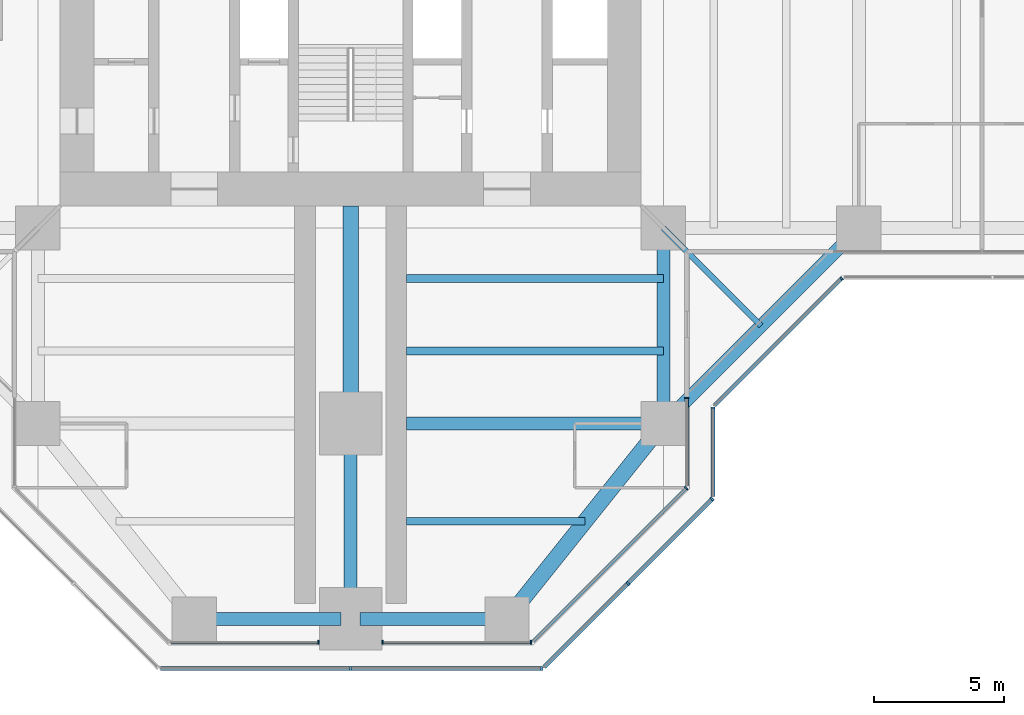
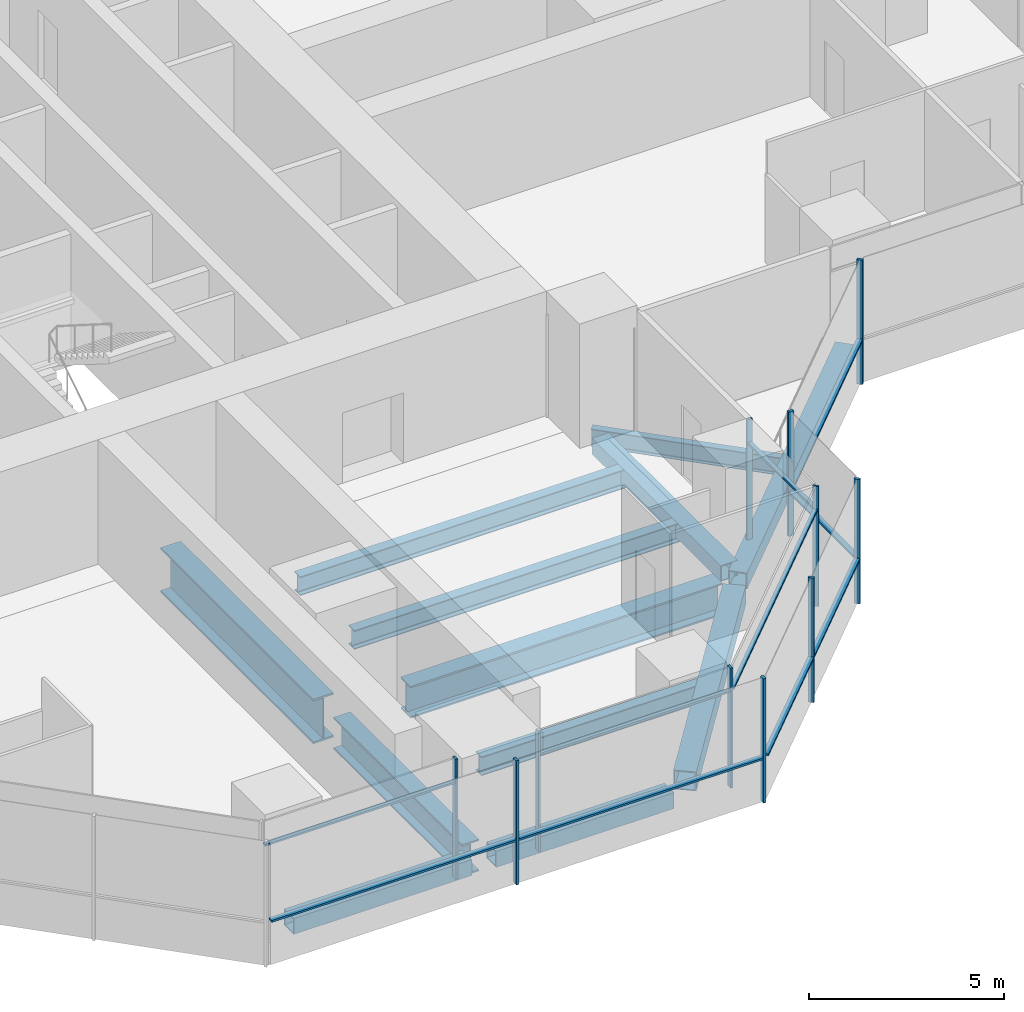
# One storey, part 4 of 20: 21 members, 12 beams, 8 elements without a shape of their own.
"""IFC4 building model written with IfcOpenShell, lengths in metres."""

from ifc_helpers import new_model, si_unit, direction, frame, origin, origin_2d, place, context, subcontext, project, spatial, rectangle, hollow_rectangle, i_section, extrude, material, material_profile, profile_set, type_object, element, aggregate, save


model = new_model("IFC4")

# Units and contexts
model_context = context("Model", 3, precision=1e-05, world=origin(), true_north=direction((0.0, 1.0)))
body_context = subcontext(model_context, "Body", "Model", "MODEL_VIEW")
ifc_project = project(units=[si_unit("LENGTHUNIT", "METRE"), si_unit("AREAUNIT", "SQUARE_METRE"), si_unit("VOLUMEUNIT", "CUBIC_METRE"), si_unit("PLANEANGLEUNIT", "RADIAN"), si_unit("MASSUNIT", "GRAM", prefix="KILO")], contexts=[model_context])

# Site, building, storey
site_placement = place(None, origin())
site = spatial("IfcSite", under=ifc_project, at=site_placement, CompositionType="ELEMENT")
building_placement = place(site_placement, origin())
building = spatial("IfcBuilding", under=site, at=building_placement, Name="Mizan Broadcast Tower", CompositionType="ELEMENT")
storey_placement = place(building_placement, frame((0.0, 0.0, 143.699951171875)))
storey = spatial("IfcBuildingStorey", under=building, at=storey_placement, Name="L32", CompositionType="ELEMENT", Elevation=143.699951171875)

# Beams
ifc_material_1 = material(Name="Steel S355", Category="steel")
ifc_material_profile_1 = material_profile(ifc_material_1, hollow_rectangle(XDim=0.5, YDim=0.5, WallThickness=0.030029296875, at=origin_2d()), Name="BOX 500x500x30")
ifc_profile_set_1 = profile_set([ifc_material_profile_1], Name="Steel S355")
beam_type_1 = type_object("IfcBeamType", Name="EDGE BEAM BOX 500x500x30", PredefinedType="SPANDREL", material=ifc_profile_set_1)
beam_1_placement = place(storey_placement, frame((-5.639892578125, -27.0, -0.3798828125), z_axis=(1.0, 0.0, 0.0), x_axis=(0.0, 1.0, 0.0)))
element("IfcBeam", 1, at=beam_1_placement, inside=storey, type_object=beam_type_1, Name="Edge beam BOX 500x500x30 L32 south arm", PredefinedType="SPANDREL", context=body_context, shape_type="SweptSolid", body=[
    extrude(hollow_rectangle(XDim=0.5, YDim=0.5, WallThickness=0.030029296875, at=origin_2d()), origin(), (0.0, 0.0, 1.0), 5.27978515625),
])
beam_2_placement = place(storey_placement, frame((12.0, -12.449951171875, -0.3798828125), z_axis=(0.0, -1.0, 0.0), x_axis=(1.0, 0.0, 0.0)))
element("IfcBeam", 2, at=beam_2_placement, inside=storey, type_object=beam_type_1, Name="Edge beam BOX 500x500x30 L32 south arm", PredefinedType="SPANDREL", context=body_context, shape_type="SweptSolid", body=[
    extrude(hollow_rectangle(XDim=0.5, YDim=0.5, WallThickness=0.030029296875, at=origin_2d()), origin(), (0.0, 0.0, 1.0), 6.60009765625),
])
beam_3_placement = place(storey_placement, frame((5.639892578125, -27.0, -0.3798828125), z_axis=(-1.0, 0.0, 0.0), x_axis=(0.0, -1.0, 0.0)))
element("IfcBeam", 3, at=beam_3_placement, inside=storey, type_object=beam_type_1, Name="Edge beam BOX 500x500x30 L32 south arm", PredefinedType="SPANDREL", context=body_context, shape_type="SweptSolid", body=[
    extrude(hollow_rectangle(XDim=0.5, YDim=0.5, WallThickness=0.030029296875, at=origin_2d()), origin(), (0.0, 0.0, 1.0), 5.27978515625),
])
beam_4_placement = place(storey_placement, frame((12.0, -19.5, -0.3798828125), z_axis=(0.707106781187, 0.707106781187, 0.0), x_axis=(-0.707106781187, 0.707106781187, 0.0)))
element("IfcBeam", 4, at=beam_4_placement, inside=storey, type_object=beam_type_1, Name="Winter garden edge beam L32 S", PredefinedType="SPANDREL", context=body_context, shape_type="SweptSolid", body=[
    extrude(hollow_rectangle(XDim=0.5, YDim=0.5, WallThickness=0.030029296875, at=origin_2d()), origin(), (0.0, 0.0, 1.0), 10.606689453125),
])
ifc_material_2 = material(Name="Steel S355", Category="steel")
ifc_material_profile_2 = material_profile(ifc_material_2, hollow_rectangle(XDim=0.60009765625, YDim=0.60009765625, WallThickness=0.030029296875, at=origin_2d()), Name="BOX 600x600x30")
ifc_profile_set_2 = profile_set([ifc_material_profile_2], Name="Steel S355")
beam_type_2 = type_object("IfcBeamType", Name="EDGE BEAM BOX 600x600x30", PredefinedType="SPANDREL", material=ifc_profile_set_2)
beam_5_placement = place(storey_placement, frame((11.639892578125, -19.949951171875, -0.429931640625), z_axis=(-0.624673911726, -0.780885717636, 0.0), x_axis=(0.780885717636, -0.624673911726, 0.0)))
element("IfcBeam", 5, at=beam_5_placement, inside=storey, type_object=beam_type_2, Name="Edge beam BOX 600x600x30 L32 south arm", PredefinedType="SPANDREL", context=body_context, shape_type="SweptSolid", body=[
    extrude(hollow_rectangle(XDim=0.60009765625, YDim=0.60009765625, WallThickness=0.030029296875, at=origin_2d()), origin(), (0.0, 0.0, 1.0), 8.4521484375),
])
ifc_material_3 = material(Name="Steel S460", Category="steel")
ifc_material_profile_3 = material_profile(ifc_material_3, i_section(OverallWidth=0.5, OverallDepth=1.0, WebThickness=0.02490234375, FlangeThickness=0.050048828125, at=origin_2d()), Name="WPG 1000x500")
ifc_profile_set_3 = profile_set([ifc_material_profile_3], Name="Steel S460")
beam_type_3 = type_object("IfcBeamType", Name="GIRDER WPG 1000x500", PredefinedType="BEAM", material=ifc_profile_set_3)
beam_6_placement = place(storey_placement, frame((0.0, -19.949951171875, -0.6298828125), z_axis=(0.0, -1.0, 0.0), x_axis=(1.0, 0.0, 0.0)))
element("IfcBeam", 6, at=beam_6_placement, inside=storey, type_object=beam_type_3, Name="Girder WPG 1000x500 L32 south arm", PredefinedType="BEAM", context=body_context, shape_type="SweptSolid", body=[
    extrude(i_section(OverallWidth=0.5, OverallDepth=1.0, WebThickness=0.02490234375, FlangeThickness=0.050048828125, at=origin_2d()), origin(), (0.0, 0.0, 1.0), 6.60009765625),
])
beam_7_placement = place(storey_placement, frame((11.408935546875, -19.5, -0.6298828125), z_axis=(-1.0, 0.0, 0.0), x_axis=(0.0, -1.0, 0.0)))
element("IfcBeam", 7, at=beam_7_placement, inside=storey, type_object=beam_type_3, Name="Girder WPG 1000x500 L32 south arm", PredefinedType="BEAM", context=body_context, shape_type="SweptSolid", body=[
    extrude(i_section(OverallWidth=0.5, OverallDepth=1.0, WebThickness=0.02490234375, FlangeThickness=0.050048828125, at=origin_2d()), origin(), (0.0, 0.0, 1.0), 9.259033203125),
])
ifc_material_4 = material(Name="Steel S460", Category="steel")
ifc_material_profile_4 = material_profile(ifc_material_4, i_section(OverallWidth=0.60009765625, OverallDepth=1.39990234375, WebThickness=0.02490234375, FlangeThickness=0.06005859375, at=origin_2d()), Name="WPG 1400x600")
ifc_profile_set_4 = profile_set([ifc_material_profile_4], Name="Steel S460")
beam_type_4 = type_object("IfcBeamType", Name="GIRDER WPG 1400x600", PredefinedType="BEAM", material=ifc_profile_set_4)
beam_8_placement = place(storey_placement, frame((0.0, -11.14990234375, -0.829833984375), z_axis=(0.0, -1.0, 0.0), x_axis=(1.0, 0.0, 0.0)))
element("IfcBeam", 8, at=beam_8_placement, inside=storey, type_object=beam_type_4, Name="Girder WPG 1400x600 L32 south arm", PredefinedType="BEAM", context=body_context, shape_type="SweptSolid", body=[
    extrude(i_section(OverallWidth=0.60009765625, OverallDepth=1.39990234375, WebThickness=0.02490234375, FlangeThickness=0.06005859375, at=origin_2d()), origin(), (0.0, 0.0, 1.0), 7.84912109375),
])

# Curtain wall, member
ifc_material_5 = material(Name="Aluminium framed glazing", Category="aluminium")
curtain_wall_type_1 = type_object("IfcCurtainWallType", Name="INNER SKIN MID ZONE", PredefinedType="USERDEFINED", material=ifc_material_5)
curtain_wall_1_placement = place(storey_placement, origin())
curtain_wall_1 = element("IfcCurtainWall", 9, at=curtain_wall_1_placement, inside=storey, type_object=curtain_wall_type_1, Name="Inner skin mid zone L32 S end", ObjectType="INNER SKIN MID ZONE", PredefinedType="USERDEFINED")
ifc_material_6 = material(Name="Aluminium, pale anodised", Category="aluminium")
ifc_material_profile_5 = material_profile(ifc_material_6, rectangle(XDim=0.159912109375, YDim=0.06005859375, at=origin_2d()), Name="MULLION 160x60")
ifc_profile_set_5 = profile_set([ifc_material_profile_5], Name="Aluminium, pale anodised")
member_type_1 = type_object("IfcMemberType", Name="INNER SKIN MULLION 60x160", PredefinedType="MULLION", material=ifc_profile_set_5)
member_1_placement = place(storey_placement, frame((-1.22998046875, -27.89990234375, 0.0), z_axis=(0.0, 0.0, 1.0), x_axis=(0.0, 1.0, 0.0)))
member_1 = element("IfcMember", 10, at=member_1_placement, type_object=member_type_1, Name="Inner skin mid zone L32 S end mullion 2", PredefinedType="MULLION", context=body_context, shape_type="SweptSolid", body=[
    extrude(rectangle(XDim=0.159912109375, YDim=0.06005859375, at=origin_2d()), origin(), (0.0, 0.0, 1.0), 3.77001953125),
])

# Curtain wall, members
curtain_wall_2_placement = place(storey_placement, origin())
curtain_wall_2 = element("IfcCurtainWall", 11, at=curtain_wall_2_placement, inside=storey, type_object=curtain_wall_type_1, Name="Inner skin mid zone L32 S end", ObjectType="INNER SKIN MID ZONE", PredefinedType="USERDEFINED")
member_2_placement = place(storey_placement, frame((1.22998046875, -27.89990234375, 0.0), z_axis=(0.0, 0.0, 1.0), x_axis=(0.0, 1.0, 0.0)))
member_2 = element("IfcMember", 12, at=member_2_placement, type_object=member_type_1, Name="Inner skin mid zone L32 S end mullion 1", PredefinedType="MULLION", context=body_context, shape_type="SweptSolid", body=[
    extrude(rectangle(XDim=0.159912109375, YDim=0.06005859375, at=origin_2d()), origin(), (0.0, 0.0, 1.0), 3.77001953125),
])
member_3_placement = place(storey_placement, frame((6.928466796875, -27.89990234375, 0.0), z_axis=(0.0, 0.0, 1.0), x_axis=(0.0, 1.0, 0.0)))
member_3 = element("IfcMember", 13, at=member_3_placement, type_object=member_type_1, Name="Inner skin mid zone L32 S end mullion 2", PredefinedType="MULLION", context=body_context, shape_type="SweptSolid", body=[
    extrude(rectangle(XDim=0.159912109375, YDim=0.06005859375, at=origin_2d()), origin(), (0.0, 0.0, 1.0), 3.77001953125),
])

# Curtain wall, member
curtain_wall_3_placement = place(storey_placement, origin())
curtain_wall_3 = element("IfcCurtainWall", 14, at=curtain_wall_3_placement, inside=storey, type_object=curtain_wall_type_1, Name="Inner skin mid zone L32 S chamfer", ObjectType="INNER SKIN MID ZONE", PredefinedType="USERDEFINED")
member_4_placement = place(storey_placement, frame((12.87890625, -21.979736328125, 0.0), z_axis=(0.0, 0.0, 1.0), x_axis=(-0.707106781187, 0.707106781187, 0.0)))
member_4 = element("IfcMember", 15, at=member_4_placement, type_object=member_type_1, Name="Inner skin mid zone L32 S chamfer mullion 2", PredefinedType="MULLION", context=body_context, shape_type="SweptSolid", body=[
    extrude(rectangle(XDim=0.159912109375, YDim=0.06005859375, at=origin_2d()), origin(), (0.0, 0.0, 1.0), 3.77001953125),
])

curtain_wall_4_placement = place(storey_placement, origin())
curtain_wall_4 = element("IfcCurtainWall", 16, at=curtain_wall_4_placement, inside=storey, type_object=curtain_wall_type_1, Name="Inner skin mid zone L32 S side", ObjectType="INNER SKIN MID ZONE", PredefinedType="USERDEFINED")
member_5_placement = place(storey_placement, frame((12.89990234375, -18.530029296875, 0.0), z_axis=(0.0, 0.0, 1.0), x_axis=(-1.0, 0.0, 0.0)))
member_5 = element("IfcMember", 17, at=member_5_placement, type_object=member_type_1, Name="Inner skin mid zone L32 S side mullion 2", PredefinedType="MULLION", context=body_context, shape_type="SweptSolid", body=[
    extrude(rectangle(XDim=0.159912109375, YDim=0.06005859375, at=origin_2d()), origin(), (0.0, 0.0, 1.0), 3.77001953125),
])

# Member
ifc_material_7 = material(Name="Aluminium, pale anodised", Category="aluminium")
ifc_material_profile_6 = material_profile(ifc_material_7, rectangle(XDim=0.1201171875, YDim=0.06005859375, at=origin_2d()), Name="TRANSOM 120x60")
ifc_profile_set_6 = profile_set([ifc_material_profile_6], Name="Aluminium, pale anodised")
member_type_2 = type_object("IfcMemberType", Name="INNER SKIN TRANSOM 60x120", PredefinedType="USERDEFINED", material=ifc_profile_set_6)
member_6_placement = place(storey_placement, frame((-6.898681640625, -27.89990234375, 3.030029296875), z_axis=(1.0, 0.0, 0.0), x_axis=(0.0, 1.0, 0.0)))
member_6 = element("IfcMember", 18, at=member_6_placement, type_object=member_type_2, Name="Inner skin mid zone L32 S end transom 1.1", ObjectType="TRANSOM", PredefinedType="USERDEFINED", context=body_context, shape_type="SweptSolid", body=[
    extrude(rectangle(XDim=0.1201171875, YDim=0.06005859375, at=origin_2d()), origin(), (0.0, 0.0, 1.0), 5.638671875),
])

aggregate(curtain_wall_1, [member_1, member_6])

member_7_placement = place(storey_placement, frame((1.260009765625, -27.89990234375, 3.030029296875), z_axis=(1.0, 0.0, 0.0), x_axis=(0.0, 1.0, 0.0)))
member_7 = element("IfcMember", 19, at=member_7_placement, type_object=member_type_2, Name="Inner skin mid zone L32 S end transom 1.1", ObjectType="TRANSOM", PredefinedType="USERDEFINED", context=body_context, shape_type="SweptSolid", body=[
    extrude(rectangle(XDim=0.1201171875, YDim=0.06005859375, at=origin_2d()), origin(), (0.0, 0.0, 1.0), 5.638671875),
])

aggregate(curtain_wall_2, [member_2, member_3, member_7])

member_8_placement = place(storey_placement, frame((7.0009765625, -27.857666015625, 3.030029296875), z_axis=(0.707106781187, 0.707106781187, 0.0), x_axis=(-0.707106781187, 0.707106781187, 0.0)))
member_8 = element("IfcMember", 20, at=member_8_placement, type_object=member_type_2, Name="Inner skin mid zone L32 S chamfer transom 1.1", ObjectType="TRANSOM", PredefinedType="USERDEFINED", context=body_context, shape_type="SweptSolid", body=[
    extrude(rectangle(XDim=0.1201171875, YDim=0.06005859375, at=origin_2d()), origin(), (0.0, 0.0, 1.0), 8.28271484375),
])

aggregate(curtain_wall_3, [member_4, member_8])

member_9_placement = place(storey_placement, frame((12.89990234375, -21.898681640625, 3.030029296875), z_axis=(0.0, 1.0, 0.0), x_axis=(-1.0, 0.0, 0.0)))
member_9 = element("IfcMember", 21, at=member_9_placement, type_object=member_type_2, Name="Inner skin mid zone L32 S side transom 1.1", ObjectType="TRANSOM", PredefinedType="USERDEFINED", context=body_context, shape_type="SweptSolid", body=[
    extrude(rectangle(XDim=0.1201171875, YDim=0.06005859375, at=origin_2d()), origin(), (0.0, 0.0, 1.0), 3.338623046875),
])

aggregate(curtain_wall_4, [member_5, member_9])

# Curtain wall, members
ifc_material_8 = material(Name="Aluminium framed glazing", Category="aluminium")
curtain_wall_type_2 = type_object("IfcCurtainWallType", Name="OUTER SKIN", PredefinedType="USERDEFINED", material=ifc_material_8)
curtain_wall_5_placement = place(storey_placement, origin())
curtain_wall_5 = element("IfcCurtainWall", 22, at=curtain_wall_5_placement, inside=storey, type_object=curtain_wall_type_2, Name="Outer skin L32 S end", ObjectType="OUTER SKIN", PredefinedType="USERDEFINED")
ifc_material_9 = material(Name="Aluminium, pale anodised", Category="aluminium")
ifc_material_profile_7 = material_profile(ifc_material_9, rectangle(XDim=0.159912109375, YDim=0.080078125, at=origin_2d()), Name="MULLION 160x80")
ifc_profile_set_7 = profile_set([ifc_material_profile_7], Name="Aluminium, pale anodised")
member_type_3 = type_object("IfcMemberType", Name="OUTER SKIN MULLION 80x160", PredefinedType="MULLION", material=ifc_profile_set_7)
member_10_placement = place(storey_placement, frame((0.0, -28.89990234375, 0.0), z_axis=(0.0, 0.0, 1.0), x_axis=(0.0, 1.0, 0.0)))
member_10 = element("IfcMember", 23, at=member_10_placement, type_object=member_type_3, Name="Outer skin L32 S end mullion 2", PredefinedType="MULLION", context=body_context, shape_type="SweptSolid", body=[
    extrude(rectangle(XDim=0.159912109375, YDim=0.080078125, at=origin_2d()), origin(), (0.0, 0.0, 1.0), 3.900146484375),
])
member_11_placement = place(storey_placement, frame((7.332763671875, -28.89990234375, 0.0), z_axis=(0.0, 0.0, 1.0), x_axis=(0.0, 1.0, 0.0)))
member_11 = element("IfcMember", 24, at=member_11_placement, type_object=member_type_3, Name="Outer skin L32 S end mullion 3", PredefinedType="MULLION", context=body_context, shape_type="SweptSolid", body=[
    extrude(rectangle(XDim=0.159912109375, YDim=0.080078125, at=origin_2d()), origin(), (0.0, 0.0, 1.0), 3.900146484375),
])

curtain_wall_6_placement = place(storey_placement, origin())
curtain_wall_6 = element("IfcCurtainWall", 25, at=curtain_wall_6_placement, inside=storey, type_object=curtain_wall_type_2, Name="Outer skin L32 S chamfer", ObjectType="OUTER SKIN", PredefinedType="USERDEFINED")
member_12_placement = place(storey_placement, frame((10.636474609375, -25.636474609375, 0.0), z_axis=(0.0, 0.0, 1.0), x_axis=(-0.707106781187, 0.707106781187, 0.0)))
member_12 = element("IfcMember", 26, at=member_12_placement, type_object=member_type_3, Name="Outer skin L32 S chamfer mullion 2", PredefinedType="MULLION", context=body_context, shape_type="SweptSolid", body=[
    extrude(rectangle(XDim=0.159912109375, YDim=0.080078125, at=origin_2d()), origin(), (0.0, 0.0, 1.0), 3.900146484375),
])
member_13_placement = place(storey_placement, frame((13.871826171875, -22.401123046875, 0.0), z_axis=(0.0, 0.0, 1.0), x_axis=(-0.707106781187, 0.707106781187, 0.0)))
member_13 = element("IfcMember", 27, at=member_13_placement, type_object=member_type_3, Name="Outer skin L32 S chamfer mullion 3", PredefinedType="MULLION", context=body_context, shape_type="SweptSolid", body=[
    extrude(rectangle(XDim=0.159912109375, YDim=0.080078125, at=origin_2d()), origin(), (0.0, 0.0, 1.0), 3.900146484375),
])

# Curtain wall, member
curtain_wall_7_placement = place(storey_placement, origin())
curtain_wall_7 = element("IfcCurtainWall", 28, at=curtain_wall_7_placement, inside=storey, type_object=curtain_wall_type_2, Name="Outer skin L32 S side", ObjectType="OUTER SKIN", PredefinedType="USERDEFINED")
member_14_placement = place(storey_placement, frame((13.89990234375, -18.912841796875, 0.0), z_axis=(0.0, 0.0, 1.0), x_axis=(-1.0, 0.0, 0.0)))
member_14 = element("IfcMember", 29, at=member_14_placement, type_object=member_type_3, Name="Outer skin L32 S side mullion 2", PredefinedType="MULLION", context=body_context, shape_type="SweptSolid", body=[
    extrude(rectangle(XDim=0.159912109375, YDim=0.080078125, at=origin_2d()), origin(), (0.0, 0.0, 1.0), 3.900146484375),
])

curtain_wall_8_placement = place(storey_placement, origin())
curtain_wall_8 = element("IfcCurtainWall", 30, at=curtain_wall_8_placement, inside=storey, type_object=curtain_wall_type_2, Name="Outer skin L32 E chamfer", ObjectType="OUTER SKIN", PredefinedType="USERDEFINED")
member_15_placement = place(storey_placement, frame((18.844482421875, -13.92822265625, 0.0), z_axis=(0.0, 0.0, 1.0), x_axis=(-0.707106781187, 0.707106781187, 0.0)))
member_15 = element("IfcMember", 31, at=member_15_placement, type_object=member_type_3, Name="Outer skin L32 E chamfer mullion 2", PredefinedType="MULLION", context=body_context, shape_type="SweptSolid", body=[
    extrude(rectangle(XDim=0.159912109375, YDim=0.080078125, at=origin_2d()), origin(), (0.0, 0.0, 1.0), 3.900146484375),
])

# Member
ifc_material_10 = material(Name="Aluminium, pale anodised", Category="aluminium")
ifc_material_profile_8 = material_profile(ifc_material_10, rectangle(XDim=0.159912109375, YDim=0.06005859375, at=origin_2d()), Name="TRANSOM 160x60")
ifc_profile_set_8 = profile_set([ifc_material_profile_8], Name="Aluminium, pale anodised")
member_type_4 = type_object("IfcMemberType", Name="OUTER SKIN TRANSOM 60x160", PredefinedType="USERDEFINED", material=ifc_profile_set_8)
member_16_placement = place(storey_placement, frame((-7.292724609375, -28.89990234375, 1.400146484375), z_axis=(1.0, 0.0, 0.0), x_axis=(0.0, 1.0, 0.0)))
member_16 = element("IfcMember", 32, at=member_16_placement, type_object=member_type_4, Name="Outer skin L32 S end transom 1.1", ObjectType="TRANSOM", PredefinedType="USERDEFINED", context=body_context, shape_type="SweptSolid", body=[
    extrude(rectangle(XDim=0.159912109375, YDim=0.06005859375, at=origin_2d()), origin(), (0.0, 0.0, 1.0), 7.252685546875),
])

member_17_placement = place(storey_placement, frame((0.0400390625, -28.89990234375, 1.400146484375), z_axis=(1.0, 0.0, 0.0), x_axis=(0.0, 1.0, 0.0)))
member_17 = element("IfcMember", 33, at=member_17_placement, type_object=member_type_4, Name="Outer skin L32 S end transom 2.1", ObjectType="TRANSOM", PredefinedType="USERDEFINED", context=body_context, shape_type="SweptSolid", body=[
    extrude(rectangle(XDim=0.159912109375, YDim=0.06005859375, at=origin_2d()), origin(), (0.0, 0.0, 1.0), 7.252685546875),
])

aggregate(curtain_wall_5, [member_10, member_11, member_16, member_17])

member_18_placement = place(storey_placement, frame((7.429443359375, -28.843505859375, 1.400146484375), z_axis=(0.707106781187, 0.707106781187, 0.0), x_axis=(-0.707106781187, 0.707106781187, 0.0)))
member_18 = element("IfcMember", 34, at=member_18_placement, type_object=member_type_4, Name="Outer skin L32 S chamfer transom 1.1", ObjectType="TRANSOM", PredefinedType="USERDEFINED", context=body_context, shape_type="SweptSolid", body=[
    extrude(rectangle(XDim=0.159912109375, YDim=0.06005859375, at=origin_2d()), origin(), (0.0, 0.0, 1.0), 4.495361328125),
])

member_19_placement = place(storey_placement, frame((10.664794921875, -25.608154296875, 1.400146484375), z_axis=(0.707106781187, 0.707106781187, 0.0), x_axis=(-0.707106781187, 0.707106781187, 0.0)))
member_19 = element("IfcMember", 35, at=member_19_placement, type_object=member_type_4, Name="Outer skin L32 S chamfer transom 2.1", ObjectType="TRANSOM", PredefinedType="USERDEFINED", context=body_context, shape_type="SweptSolid", body=[
    extrude(rectangle(XDim=0.159912109375, YDim=0.06005859375, at=origin_2d()), origin(), (0.0, 0.0, 1.0), 4.495361328125),
])

aggregate(curtain_wall_6, [member_12, member_13, member_18, member_19])

member_20_placement = place(storey_placement, frame((13.89990234375, -22.292724609375, 1.400146484375), z_axis=(0.0, 1.0, 0.0), x_axis=(-1.0, 0.0, 0.0)))
member_20 = element("IfcMember", 36, at=member_20_placement, type_object=member_type_4, Name="Outer skin L32 S side transom 1.1", ObjectType="TRANSOM", PredefinedType="USERDEFINED", context=body_context, shape_type="SweptSolid", body=[
    extrude(rectangle(XDim=0.159912109375, YDim=0.06005859375, at=origin_2d()), origin(), (0.0, 0.0, 1.0), 3.33984375),
])

aggregate(curtain_wall_7, [member_14, member_20])

member_21_placement = place(storey_placement, frame((13.95654296875, -18.816162109375, 1.400146484375), z_axis=(0.707106781187, 0.707106781187, 0.0), x_axis=(-0.707106781187, 0.707106781187, 0.0)))
member_21 = element("IfcMember", 37, at=member_21_placement, type_object=member_type_4, Name="Outer skin L32 E chamfer transom 1.1", ObjectType="TRANSOM", PredefinedType="USERDEFINED", context=body_context, shape_type="SweptSolid", body=[
    extrude(rectangle(XDim=0.159912109375, YDim=0.06005859375, at=origin_2d()), origin(), (0.0, 0.0, 1.0), 6.87255859375),
])

aggregate(curtain_wall_8, [member_15, member_21])

# Beams
ifc_material_11 = material(Name="Steel S355", Category="steel")
ifc_material_profile_9 = material_profile(ifc_material_11, i_section(OverallWidth=0.300048828125, OverallDepth=0.590087890625, WebThickness=0.012939453125, FlangeThickness=0.02490234375, FilletRadius=0.027099609375, at=origin_2d()), Name="HEA 600")
ifc_profile_set_9 = profile_set([ifc_material_profile_9], Name="Steel S355")
beam_type_5 = type_object("IfcBeamType", Name="SECONDARY BEAM HEA 600", PredefinedType="JOIST", material=ifc_profile_set_9)
for number, where, z_axis, x_axis, name in (
    (38, (12.0, -13.933349609375, -0.425048828125), (-1.0, 0.0, 0.0), (0.0, -1.0, 0.0), "Secondary beam HEA 600 L32 south arm"),
    (39, (12.0, -16.716552734375, -0.425048828125), (-1.0, 0.0, 0.0), (0.0, -1.0, 0.0), "Secondary beam HEA 600 L32 south arm"),
):
    element("IfcBeam", number, at=place(storey_placement, frame(where, z_axis=z_axis, x_axis=x_axis)), inside=storey, type_object=beam_type_5, Name=name, PredefinedType="JOIST", context=body_context, shape_type="SweptSolid", body=[
        extrude(i_section(OverallWidth=0.300048828125, OverallDepth=0.590087890625, WebThickness=0.012939453125, FlangeThickness=0.02490234375, FilletRadius=0.027099609375, at=origin_2d()), origin(), (0.0, 0.0, 1.0), 9.85009765625),
    ])
beam_9_placement = place(storey_placement, frame((9.0, -23.25, -0.425048828125), z_axis=(-1.0, 0.0, 0.0), x_axis=(0.0, -1.0, 0.0)))
element("IfcBeam", 40, at=beam_9_placement, inside=storey, type_object=beam_type_5, Name="Secondary beam HEA 600 L32 south arm", PredefinedType="JOIST", context=body_context, shape_type="SweptSolid", body=[
    extrude(i_section(OverallWidth=0.300048828125, OverallDepth=0.590087890625, WebThickness=0.012939453125, FlangeThickness=0.02490234375, FilletRadius=0.027099609375, at=origin_2d()), origin(), (0.0, 0.0, 1.0), 6.85009765625),
])
ifc_material_12 = material(Name="Steel S355", Category="steel")
ifc_material_profile_10 = material_profile(ifc_material_12, i_section(OverallWidth=0.2099609375, OverallDepth=0.550048828125, WebThickness=0.010986328125, FlangeThickness=0.01708984375, FilletRadius=0.02392578125, at=origin_2d()), Name="IPE 550")
ifc_profile_set_10 = profile_set([ifc_material_profile_10], Name="Steel S355")
beam_type_6 = type_object("IfcBeamType", Name="SECONDARY BEAM IPE 550", PredefinedType="JOIST", material=ifc_profile_set_10)
beam_10_placement = place(storey_placement, frame((12.0, -12.0, -0.405029296875), z_axis=(0.707106781187, -0.707106781187, 0.0), x_axis=(0.707106781187, 0.707106781187, 0.0)))
element("IfcBeam", 41, at=beam_10_placement, inside=storey, type_object=beam_type_6, Name="Winter garden beam L32 S", PredefinedType="JOIST", context=body_context, shape_type="SweptSolid", body=[
    extrude(i_section(OverallWidth=0.2099609375, OverallDepth=0.550048828125, WebThickness=0.010986328125, FlangeThickness=0.01708984375, FilletRadius=0.02392578125, at=origin_2d()), origin(), (0.0, 0.0, 1.0), 5.30322265625),
])

save(model, "model.ifc")
